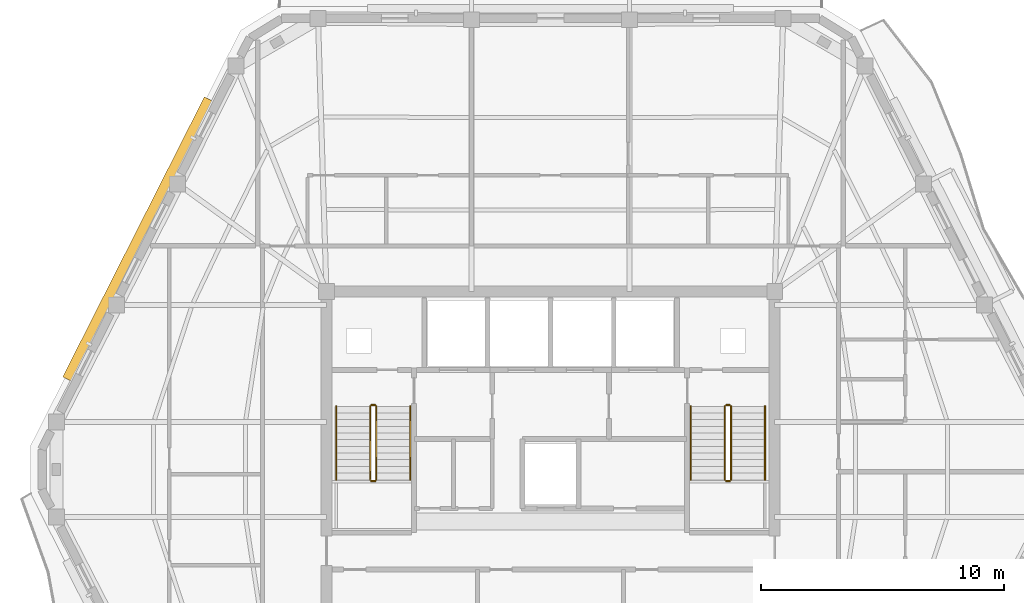
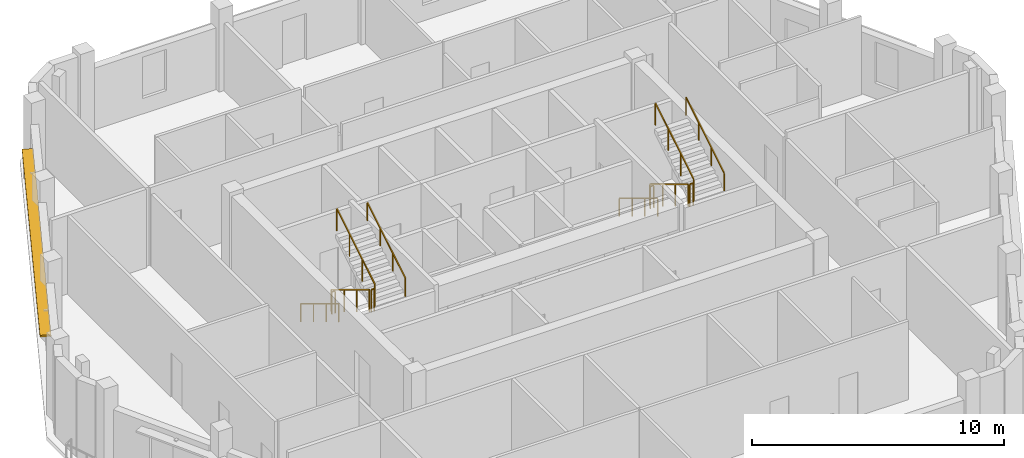
# One storey, part 9 of 10: 12 railings, 1 shading device.
"""IFC4 building model written with IfcOpenShell, lengths in metres."""

from ifc_helpers import new_model, si_unit, direction, frame, origin, origin_2d, place, context, subcontext, project, spatial, rectangle, extrude, material, layer, layer_set, type_object, element, save


model = new_model("IFC4")

# Units and contexts
model_context = context("Model", 3, precision=1e-05, world=origin(), true_north=direction((0.0, 1.0)))
body_context = subcontext(model_context, "Body", "Model", "MODEL_VIEW")
ifc_project = project(units=[si_unit("LENGTHUNIT", "METRE"), si_unit("AREAUNIT", "SQUARE_METRE"), si_unit("VOLUMEUNIT", "CUBIC_METRE"), si_unit("PLANEANGLEUNIT", "RADIAN"), si_unit("MASSUNIT", "GRAM", prefix="KILO")], contexts=[model_context])

# Site, building, storey
site_placement = place(None, origin())
site = spatial("IfcSite", under=ifc_project, at=site_placement, CompositionType="ELEMENT")
building_placement = place(site_placement, origin())
building = spatial("IfcBuilding", under=site, at=building_placement, Name="Cinnabar Lancet Tower", CompositionType="ELEMENT")
storey_placement = place(building_placement, frame((0.0, 0.0, 287.5)))
storey = spatial("IfcBuildingStorey", under=building, at=storey_placement, Name="L76", CompositionType="ELEMENT", Elevation=287.5)

# Shading device
ifc_material_1 = material(Name="Pale limestone architectural aluminium sunshade", Category="masonry")
ifc_layer = layer(ifc_material_1, 0.080078125)
ifc_layer_set = layer_set([ifc_layer], Name="Pale limestone architectural aluminium sunshade")
shading_device_type = type_object("IfcShadingDeviceType", Name="ENV-SHD-LVR-450", PredefinedType="JALOUSIE", material=ifc_layer_set)
shading_device_placement = place(storey_placement, frame((15.43603515625, 35.27001953125, 2.639892578125), z_axis=(0.0, 0.0, 1.0), x_axis=(-0.451375984307, -0.89233386173, 0.0)))
element("IfcShadingDevice", 1, at=shading_device_placement, inside=storey, type_object=shading_device_type, Name="L76 Face 5 Horizontal Sunshade Canopy", PredefinedType="JALOUSIE", context=body_context, shape_type="SweptSolid", body=[
    extrude(rectangle(XDim=12.912109375, YDim=0.449951171875, at=origin_2d()), origin(), (0.0, 0.0, 1.0), 0.080078125),
])

# Railings
ifc_material_2 = material(Name="Painted galvanized steel balustrade", Category="steel")
railing_type_1 = type_object("IfcRailingType", Name="GUARD-STAIR", PredefinedType="GUARDRAIL", material=ifc_material_2)
railing_1_placement = place(storey_placement, frame((24.97509765625, 28.39990234375, 0.166748046875)))
element("IfcRailing", 2, at=railing_1_placement, inside=storey, type_object=railing_type_1, Name="L76 ST-1 stair guard 1", PredefinedType="GUARDRAIL", context=body_context, shape_type="SweptSolid", body=[
    extrude(rectangle(XDim=0.048095703125, YDim=0.048095703125, at=origin_2d()), frame((0.0, 0.0, 1.076171875), z_axis=(0.0, -0.855200612876, 0.518297126884), x_axis=(1.0, 0.0, 0.0)), (0.0, 0.0, 1.0), 3.537109375),
    extrude(rectangle(XDim=0.0419921875, YDim=0.0419921875, at=origin_2d()), origin(), (0.0, 0.0, 1.0), 1.052001953125),
    extrude(rectangle(XDim=0.0419921875, YDim=0.0419921875, at=origin_2d()), frame((0.0, -1.00830078125, 0.611083984375)), (0.0, 0.0, 1.0), 1.052001953125),
    extrude(rectangle(XDim=0.0419921875, YDim=0.0419921875, at=origin_2d()), frame((0.0, -2.0166015625, 1.22216796875)), (0.0, 0.0, 1.0), 1.052001953125),
    extrude(rectangle(XDim=0.0419921875, YDim=0.0419921875, at=origin_2d()), frame((0.0, -3.02490234375, 1.833251953125)), (0.0, 0.0, 1.0), 1.052001953125),
])
railing_2_placement = place(storey_placement, frame((25.02490234375, 25.324951171875, 2.0)))
element("IfcRailing", 3, at=railing_2_placement, inside=storey, type_object=railing_type_1, Name="L76 ST-1 stair guard 2", PredefinedType="GUARDRAIL", context=body_context, shape_type="SweptSolid", body=[
    extrude(rectangle(XDim=0.048095703125, YDim=0.048095703125, at=origin_2d()), frame((0.0, 0.0, 1.076171875), z_axis=(1.0, 0.0, 0.0), x_axis=(0.0, 1.0, 0.0)), (0.0, 0.0, 1.0), 0.150146484375),
    extrude(rectangle(XDim=0.0419921875, YDim=0.0419921875, at=origin_2d()), origin(), (0.0, 0.0, 1.0), 1.052001953125),
    extrude(rectangle(XDim=0.0419921875, YDim=0.0419921875, at=origin_2d()), frame((0.150146484375, 0.0, 0.0)), (0.0, 0.0, 1.0), 1.052001953125),
])
railing_3_placement = place(storey_placement, frame((25.22509765625, 25.375, 2.166748046875)))
element("IfcRailing", 4, at=railing_3_placement, inside=storey, type_object=railing_type_1, Name="L76 ST-1 stair guard 3", PredefinedType="GUARDRAIL", context=body_context, shape_type="SweptSolid", body=[
    extrude(rectangle(XDim=0.048095703125, YDim=0.048095703125, at=origin_2d()), frame((0.0, 0.0, 1.076171875), z_axis=(0.0, 0.855200612876, 0.518297126884), x_axis=(-1.0, 0.0, 0.0)), (0.0, 0.0, 1.0), 3.537109375),
    extrude(rectangle(XDim=0.0419921875, YDim=0.0419921875, at=origin_2d()), origin(), (0.0, 0.0, 1.0), 1.052001953125),
    extrude(rectangle(XDim=0.0419921875, YDim=0.0419921875, at=origin_2d()), frame((0.0, 1.00830078125, 0.611083984375)), (0.0, 0.0, 1.0), 1.052001953125),
    extrude(rectangle(XDim=0.0419921875, YDim=0.0419921875, at=origin_2d()), frame((0.0, 2.0166015625, 1.22216796875)), (0.0, 0.0, 1.0), 1.052001953125),
    extrude(rectangle(XDim=0.0419921875, YDim=0.0419921875, at=origin_2d()), frame((0.0, 3.02490234375, 1.833251953125)), (0.0, 0.0, 1.0), 1.052001953125),
])
railing_4_placement = place(storey_placement, frame((25.02490234375, 28.449951171875, 0.0)))
element("IfcRailing", 5, at=railing_4_placement, inside=storey, type_object=railing_type_1, Name="L76 ST-1 stair guard 4", PredefinedType="GUARDRAIL", context=body_context, shape_type="SweptSolid", body=[
    extrude(rectangle(XDim=0.048095703125, YDim=0.048095703125, at=origin_2d()), frame((0.0, 0.0, 1.076171875), z_axis=(1.0, 0.0, 0.0), x_axis=(0.0, 1.0, 0.0)), (0.0, 0.0, 1.0), 0.150146484375),
    extrude(rectangle(XDim=0.0419921875, YDim=0.0419921875, at=origin_2d()), origin(), (0.0, 0.0, 1.0), 1.052001953125),
    extrude(rectangle(XDim=0.0419921875, YDim=0.0419921875, at=origin_2d()), frame((0.150146484375, 0.0, 0.0)), (0.0, 0.0, 1.0), 1.052001953125),
])
railing_5_placement = place(storey_placement, frame((39.574951171875, 28.39990234375, 0.166748046875)))
element("IfcRailing", 6, at=railing_5_placement, inside=storey, type_object=railing_type_1, Name="L76 ST-2 stair guard 1", PredefinedType="GUARDRAIL", context=body_context, shape_type="SweptSolid", body=[
    extrude(rectangle(XDim=0.048095703125, YDim=0.048095703125, at=origin_2d()), frame((0.0, 0.0, 1.076171875), z_axis=(0.0, -0.855200612876, 0.518297126884), x_axis=(1.0, 0.0, 0.0)), (0.0, 0.0, 1.0), 3.537109375),
    extrude(rectangle(XDim=0.0419921875, YDim=0.0419921875, at=origin_2d()), origin(), (0.0, 0.0, 1.0), 1.052001953125),
    extrude(rectangle(XDim=0.0419921875, YDim=0.0419921875, at=origin_2d()), frame((0.0, -1.00830078125, 0.611083984375)), (0.0, 0.0, 1.0), 1.052001953125),
    extrude(rectangle(XDim=0.0419921875, YDim=0.0419921875, at=origin_2d()), frame((0.0, -2.0166015625, 1.22216796875)), (0.0, 0.0, 1.0), 1.052001953125),
    extrude(rectangle(XDim=0.0419921875, YDim=0.0419921875, at=origin_2d()), frame((0.0, -3.02490234375, 1.833251953125)), (0.0, 0.0, 1.0), 1.052001953125),
])
railing_6_placement = place(storey_placement, frame((39.625, 25.324951171875, 2.0)))
element("IfcRailing", 7, at=railing_6_placement, inside=storey, type_object=railing_type_1, Name="L76 ST-2 stair guard 2", PredefinedType="GUARDRAIL", context=body_context, shape_type="SweptSolid", body=[
    extrude(rectangle(XDim=0.048095703125, YDim=0.048095703125, at=origin_2d()), frame((0.0, 0.0, 1.076171875), z_axis=(1.0, 0.0, 0.0), x_axis=(0.0, 1.0, 0.0)), (0.0, 0.0, 1.0), 0.14990234375),
    extrude(rectangle(XDim=0.0419921875, YDim=0.0419921875, at=origin_2d()), origin(), (0.0, 0.0, 1.0), 1.052001953125),
    extrude(rectangle(XDim=0.0419921875, YDim=0.0419921875, at=origin_2d()), frame((0.14990234375, 0.0, 0.0)), (0.0, 0.0, 1.0), 1.052001953125),
])
railing_7_placement = place(storey_placement, frame((39.824951171875, 25.375, 2.166748046875)))
element("IfcRailing", 8, at=railing_7_placement, inside=storey, type_object=railing_type_1, Name="L76 ST-2 stair guard 3", PredefinedType="GUARDRAIL", context=body_context, shape_type="SweptSolid", body=[
    extrude(rectangle(XDim=0.048095703125, YDim=0.048095703125, at=origin_2d()), frame((0.0, 0.0, 1.076171875), z_axis=(0.0, 0.855200612876, 0.518297126884), x_axis=(-1.0, 0.0, 0.0)), (0.0, 0.0, 1.0), 3.537109375),
    extrude(rectangle(XDim=0.0419921875, YDim=0.0419921875, at=origin_2d()), origin(), (0.0, 0.0, 1.0), 1.052001953125),
    extrude(rectangle(XDim=0.0419921875, YDim=0.0419921875, at=origin_2d()), frame((0.0, 1.00830078125, 0.611083984375)), (0.0, 0.0, 1.0), 1.052001953125),
    extrude(rectangle(XDim=0.0419921875, YDim=0.0419921875, at=origin_2d()), frame((0.0, 2.0166015625, 1.22216796875)), (0.0, 0.0, 1.0), 1.052001953125),
    extrude(rectangle(XDim=0.0419921875, YDim=0.0419921875, at=origin_2d()), frame((0.0, 3.02490234375, 1.833251953125)), (0.0, 0.0, 1.0), 1.052001953125),
])
railing_8_placement = place(storey_placement, frame((39.625, 28.449951171875, 0.0)))
element("IfcRailing", 9, at=railing_8_placement, inside=storey, type_object=railing_type_1, Name="L76 ST-2 stair guard 4", PredefinedType="GUARDRAIL", context=body_context, shape_type="SweptSolid", body=[
    extrude(rectangle(XDim=0.048095703125, YDim=0.048095703125, at=origin_2d()), frame((0.0, 0.0, 1.076171875), z_axis=(1.0, 0.0, 0.0), x_axis=(0.0, 1.0, 0.0)), (0.0, 0.0, 1.0), 0.14990234375),
    extrude(rectangle(XDim=0.0419921875, YDim=0.0419921875, at=origin_2d()), origin(), (0.0, 0.0, 1.0), 1.052001953125),
    extrude(rectangle(XDim=0.0419921875, YDim=0.0419921875, at=origin_2d()), frame((0.14990234375, 0.0, 0.0)), (0.0, 0.0, 1.0), 1.052001953125),
])
ifc_material_3 = material(Name="Brushed stainless steel handrail", Category="steel")
railing_type_2 = type_object("IfcRailingType", Name="HANDRAIL-STAIR", PredefinedType="HANDRAIL", material=ifc_material_3)
railing_9_placement = place(storey_placement, frame((23.574951171875, 28.39990234375, 0.166748046875)))
element("IfcRailing", 10, at=railing_9_placement, inside=storey, type_object=railing_type_2, Name="L76 ST-1 stair handrail 1", PredefinedType="HANDRAIL", context=body_context, shape_type="SweptSolid", body=[
    extrude(rectangle(XDim=0.048095703125, YDim=0.048095703125, at=origin_2d()), frame((0.0, 0.0, 0.8759765625), z_axis=(0.0, -0.855200612876, 0.518297126884), x_axis=(1.0, 0.0, 0.0)), (0.0, 0.0, 1.0), 3.537109375),
    extrude(rectangle(XDim=0.0419921875, YDim=0.0419921875, at=origin_2d()), origin(), (0.0, 0.0, 1.0), 0.851806640625),
    extrude(rectangle(XDim=0.0419921875, YDim=0.0419921875, at=origin_2d()), frame((0.0, -1.00830078125, 0.611083984375)), (0.0, 0.0, 1.0), 0.851806640625),
    extrude(rectangle(XDim=0.0419921875, YDim=0.0419921875, at=origin_2d()), frame((0.0, -2.0166015625, 1.22216796875)), (0.0, 0.0, 1.0), 0.851806640625),
    extrude(rectangle(XDim=0.0419921875, YDim=0.0419921875, at=origin_2d()), frame((0.0, -3.02490234375, 1.833251953125)), (0.0, 0.0, 1.0), 0.851806640625),
])
railing_10_placement = place(storey_placement, frame((26.625, 25.375, 2.166748046875)))
element("IfcRailing", 11, at=railing_10_placement, inside=storey, type_object=railing_type_2, Name="L76 ST-1 stair handrail 2", PredefinedType="HANDRAIL", context=body_context, shape_type="SweptSolid", body=[
    extrude(rectangle(XDim=0.048095703125, YDim=0.048095703125, at=origin_2d()), frame((0.0, 0.0, 0.8759765625), z_axis=(0.0, 0.855200612876, 0.518297126884), x_axis=(-1.0, 0.0, 0.0)), (0.0, 0.0, 1.0), 3.537109375),
    extrude(rectangle(XDim=0.0419921875, YDim=0.0419921875, at=origin_2d()), origin(), (0.0, 0.0, 1.0), 0.851806640625),
    extrude(rectangle(XDim=0.0419921875, YDim=0.0419921875, at=origin_2d()), frame((0.0, 1.00830078125, 0.611083984375)), (0.0, 0.0, 1.0), 0.851806640625),
    extrude(rectangle(XDim=0.0419921875, YDim=0.0419921875, at=origin_2d()), frame((0.0, 2.0166015625, 1.22216796875)), (0.0, 0.0, 1.0), 0.851806640625),
    extrude(rectangle(XDim=0.0419921875, YDim=0.0419921875, at=origin_2d()), frame((0.0, 3.02490234375, 1.833251953125)), (0.0, 0.0, 1.0), 0.851806640625),
])
railing_11_placement = place(storey_placement, frame((38.175048828125, 28.39990234375, 0.166748046875)))
element("IfcRailing", 12, at=railing_11_placement, inside=storey, type_object=railing_type_2, Name="L76 ST-2 stair handrail 1", PredefinedType="HANDRAIL", context=body_context, shape_type="SweptSolid", body=[
    extrude(rectangle(XDim=0.048095703125, YDim=0.048095703125, at=origin_2d()), frame((0.0, 0.0, 0.8759765625), z_axis=(0.0, -0.855200612876, 0.518297126884), x_axis=(1.0, 0.0, 0.0)), (0.0, 0.0, 1.0), 3.537109375),
    extrude(rectangle(XDim=0.0419921875, YDim=0.0419921875, at=origin_2d()), origin(), (0.0, 0.0, 1.0), 0.851806640625),
    extrude(rectangle(XDim=0.0419921875, YDim=0.0419921875, at=origin_2d()), frame((0.0, -1.00830078125, 0.611083984375)), (0.0, 0.0, 1.0), 0.851806640625),
    extrude(rectangle(XDim=0.0419921875, YDim=0.0419921875, at=origin_2d()), frame((0.0, -2.0166015625, 1.22216796875)), (0.0, 0.0, 1.0), 0.851806640625),
    extrude(rectangle(XDim=0.0419921875, YDim=0.0419921875, at=origin_2d()), frame((0.0, -3.02490234375, 1.833251953125)), (0.0, 0.0, 1.0), 0.851806640625),
])
railing_12_placement = place(storey_placement, frame((41.22509765625, 25.375, 2.166748046875)))
element("IfcRailing", 13, at=railing_12_placement, inside=storey, type_object=railing_type_2, Name="L76 ST-2 stair handrail 2", PredefinedType="HANDRAIL", context=body_context, shape_type="SweptSolid", body=[
    extrude(rectangle(XDim=0.048095703125, YDim=0.048095703125, at=origin_2d()), frame((0.0, 0.0, 0.8759765625), z_axis=(0.0, 0.855200612876, 0.518297126884), x_axis=(-1.0, 0.0, 0.0)), (0.0, 0.0, 1.0), 3.537109375),
    extrude(rectangle(XDim=0.0419921875, YDim=0.0419921875, at=origin_2d()), origin(), (0.0, 0.0, 1.0), 0.851806640625),
    extrude(rectangle(XDim=0.0419921875, YDim=0.0419921875, at=origin_2d()), frame((0.0, 1.00830078125, 0.611083984375)), (0.0, 0.0, 1.0), 0.851806640625),
    extrude(rectangle(XDim=0.0419921875, YDim=0.0419921875, at=origin_2d()), frame((0.0, 2.0166015625, 1.22216796875)), (0.0, 0.0, 1.0), 0.851806640625),
    extrude(rectangle(XDim=0.0419921875, YDim=0.0419921875, at=origin_2d()), frame((0.0, 3.02490234375, 1.833251953125)), (0.0, 0.0, 1.0), 0.851806640625),
])

save(model, "model.ifc")
